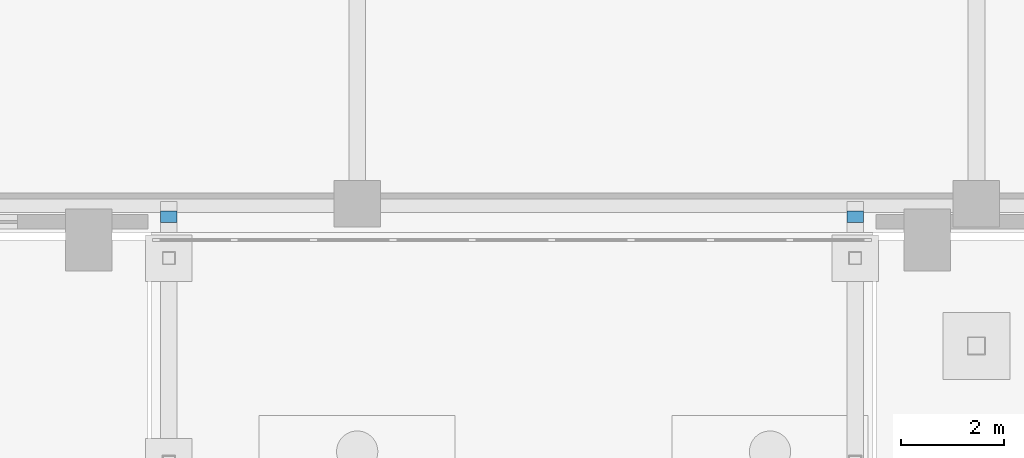
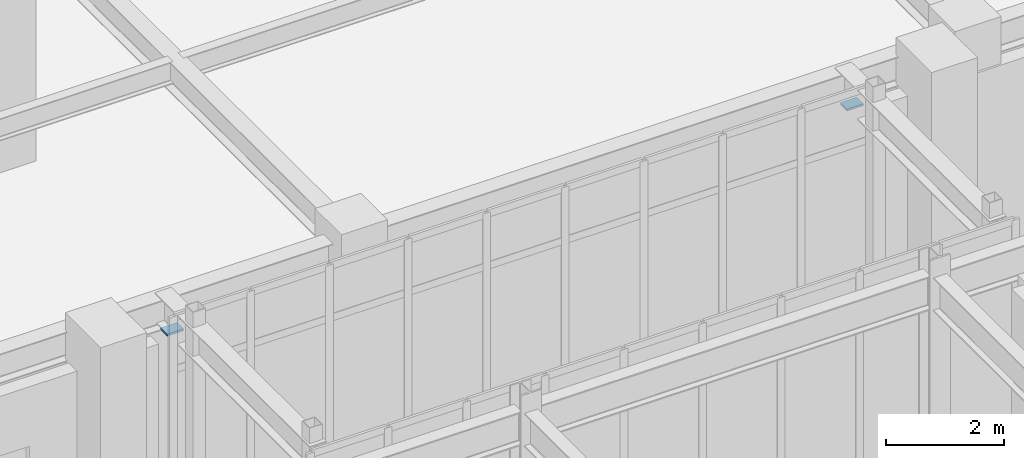
# One storey, part 127 of 143: 2 discrete accessories.
"""IFC4 building model written with IfcOpenShell, lengths in metres."""

from ifc_helpers import new_model, si_unit, derived_unit, direction, frame, origin, origin_2d, place, context, subcontext, project, spatial, rectangle, extrude, material, layer, layer_set, type_object, element, save


model = new_model("IFC4")

# Units and contexts
model_context = context("Model", 3, precision=1e-05, world=origin(), true_north=direction((0.0, 1.0)))
body_context = subcontext(model_context, "Body", "Model", "MODEL_VIEW")
ifc_project = project(units=[si_unit("LENGTHUNIT", "METRE"), si_unit("AREAUNIT", "SQUARE_METRE"), si_unit("VOLUMEUNIT", "CUBIC_METRE"), si_unit("PLANEANGLEUNIT", "RADIAN"), si_unit("MASSUNIT", "GRAM", prefix="KILO"), derived_unit("THERMALTRANSMITTANCEUNIT", [(si_unit("MASSUNIT", "GRAM", prefix="KILO"), 1), (si_unit("TIMEUNIT", "SECOND"), -3), (si_unit("THERMODYNAMICTEMPERATUREUNIT", "KELVIN"), -1)])], contexts=[model_context])

# Site, building, storey
site_placement = place(None, origin())
site = spatial("IfcSite", under=ifc_project, at=site_placement, CompositionType="ELEMENT")
building_placement = place(site_placement, origin())
building = spatial("IfcBuilding", under=site, at=building_placement, Name="Valcora Ridge Arena", CompositionType="ELEMENT")
storey_placement = place(building_placement, origin())
storey = spatial("IfcBuildingStorey", under=building, at=storey_placement, Name="L00", CompositionType="ELEMENT", Elevation=0.0)

# Discrete accessories
ifc_material = material(Name="Steel ASTM A572 Grade 50", Category="steel")
ifc_layer = layer(ifc_material, 0.044921875, Name="Steel ASTM A572 Grade 50")
ifc_layer_set = layer_set([ifc_layer], Name="Steel ASTM A572 Grade 50")
discrete_accessory_type = type_object("IfcDiscreteAccessoryType", Name="TY-DISCRETEACCESSORY-BRG-PTFE-220", PredefinedType="BRACKET", material=ifc_layer_set)
for number, where, z_axis, x_axis, name in (
    (1, (164.35009765625, 83.449951171875, 5.02294921875), (0.0, 0.0, 1.0), (1.0, 0.0, 0.0), "BRG-PTFE-220 ACC-BRG-0005"),
    (2, (177.64990234375, 83.449951171875, 5.02294921875), (0.0, 0.0, 1.0), (1.0, 0.0, 0.0), "BRG-PTFE-220 ACC-BRG-0006"),
):
    element("IfcDiscreteAccessory", number, at=place(storey_placement, frame(where, z_axis=z_axis, x_axis=x_axis)), inside=storey, type_object=discrete_accessory_type, Name=name, PredefinedType="BRACKET", context=body_context, shape_type="SweptSolid", body=[
        extrude(rectangle(XDim=0.320068359375, YDim=0.219970703125, at=origin_2d()), origin(), (0.0, 0.0, 1.0), 0.044921875),
    ])

save(model, "model.ifc")
